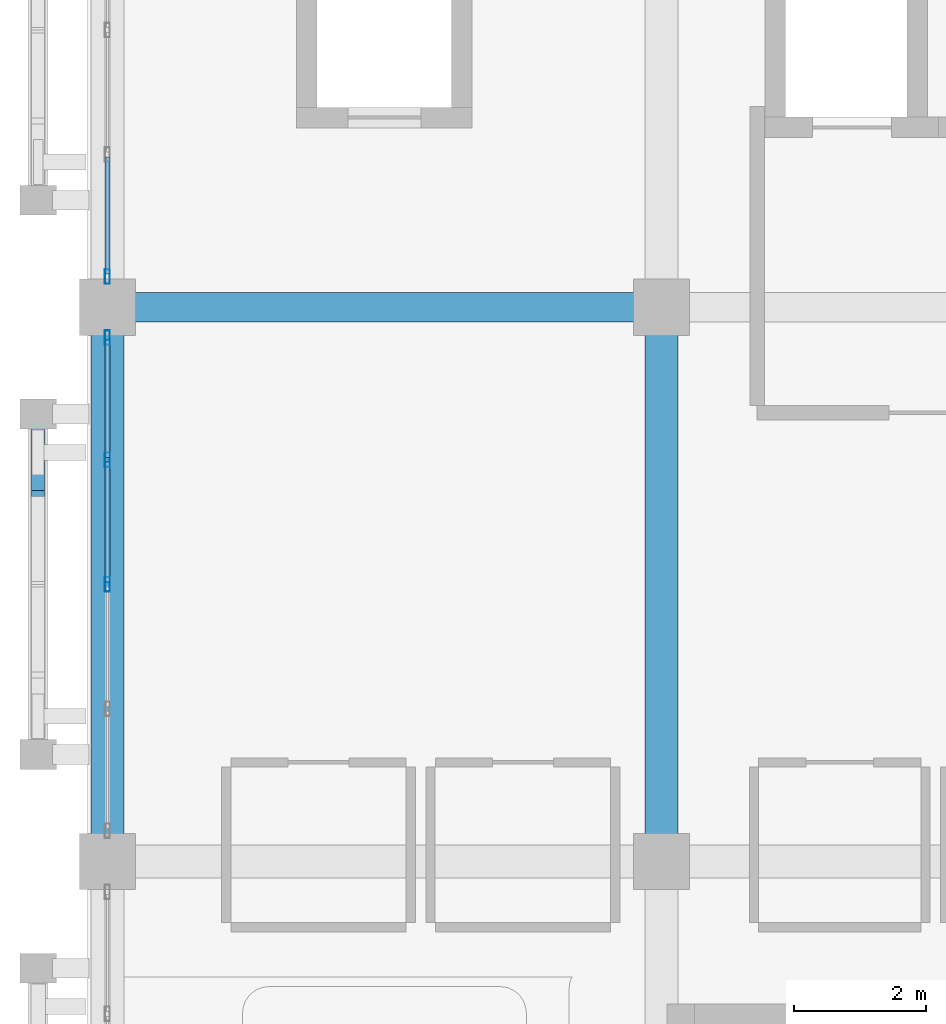
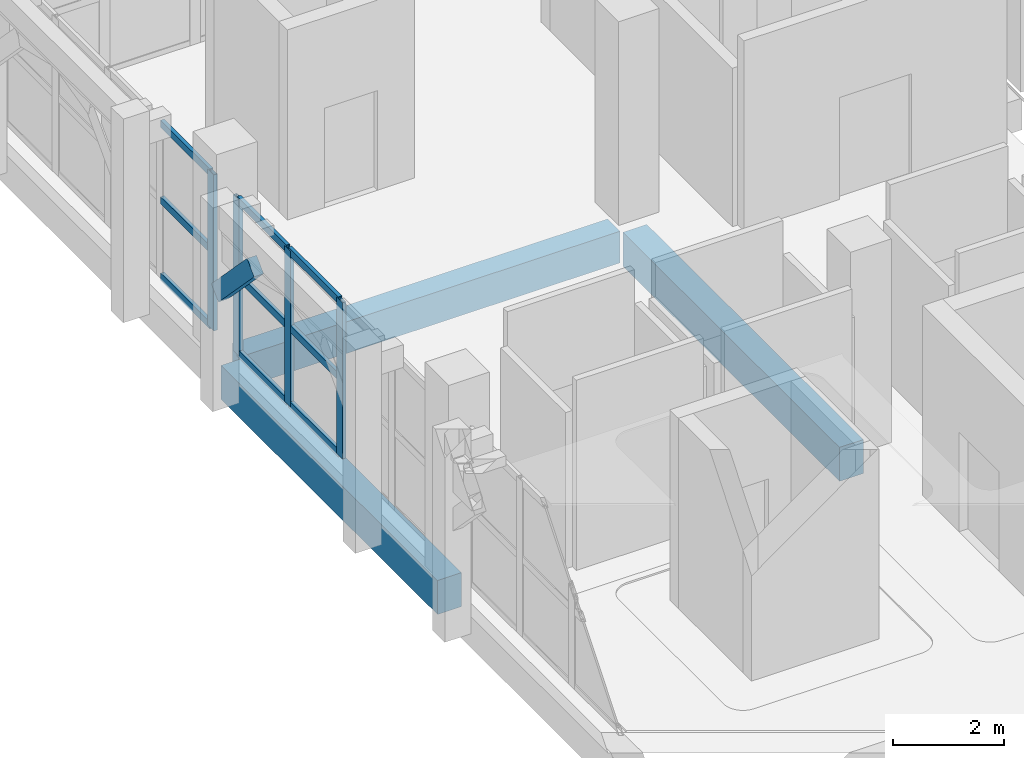
# One storey, part 52 of 137: 14 members, 3 beams, 2 elements without a shape of their own.
"""IFC4 building model written with IfcOpenShell, lengths in metres."""

from ifc_helpers import new_model, si_unit, direction, frame, origin, origin_2d, place, context, subcontext, project, spatial, rectangle, hollow_rectangle, extrude, material, layer, layer_set, material_profile, profile_set, type_object, element, aggregate, save


model = new_model("IFC4")

# Units and contexts
model_context = context("Model", 3, precision=1e-05, world=origin(), true_north=direction((0.0, 1.0)))
body_context = subcontext(model_context, "Body", "Model", "MODEL_VIEW")
ifc_project = project(units=[si_unit("LENGTHUNIT", "METRE"), si_unit("AREAUNIT", "SQUARE_METRE"), si_unit("VOLUMEUNIT", "CUBIC_METRE"), si_unit("PLANEANGLEUNIT", "RADIAN"), si_unit("MASSUNIT", "GRAM", prefix="KILO")], contexts=[model_context])

# Site, building, storey
site_placement = place(None, origin())
site = spatial("IfcSite", under=ifc_project, at=site_placement, CompositionType="ELEMENT")
building_placement = place(site_placement, origin())
building = spatial("IfcBuilding", under=site, at=building_placement, Name="Xazarin Passage Department Store", CompositionType="ELEMENT")
storey_placement = place(building_placement, frame((0.0, 0.0, 5.39990234375)))
storey = spatial("IfcBuildingStorey", under=building, at=storey_placement, Name="L01", CompositionType="ELEMENT", Elevation=5.39990234375)

# Curtain wall, members
ifc_material_1 = material(Name="Bronze anodised aluminium", Category="aluminium")
ifc_layer = layer(ifc_material_1, 0.179931640625)
ifc_layer_set = layer_set([ifc_layer], Name="Bronze anodised aluminium")
curtain_wall_type = type_object("IfcCurtainWallType", Name="ARC-CW-VIT1", PredefinedType="NOTDEFINED", material=ifc_layer_set)
curtain_wall_1_placement = place(storey_placement, origin())
curtain_wall_1 = element("IfcCurtainWall", 1, at=curtain_wall_1_placement, inside=storey, type_object=curtain_wall_type, Name="L01 V1 Curtain Wall 022", PredefinedType="NOTDEFINED")
ifc_material_profile_1 = material_profile(ifc_material_1, hollow_rectangle(XDim=0.074951171875, YDim=0.219970703125, WallThickness=0.0048828125, at=origin_2d()), Name="ALU 75x220")
ifc_profile_set_1 = profile_set([ifc_material_profile_1], Name="Bronze anodised aluminium")
member_type_1 = type_object("IfcMemberType", Name="ARC-CWM-75x220", PredefinedType="MULLION", material=ifc_profile_set_1)
member_1_placement = place(storey_placement, frame((0.0, 89.0, 0.0), z_axis=(0.0, 0.0, 1.0), x_axis=(-1.0, 0.0, 0.0)))
member_1 = element("IfcMember", 2, at=member_1_placement, type_object=member_type_1, Name="CW1 mullion 3", PredefinedType="MULLION", context=body_context, shape_type="SweptSolid", body=[
    extrude(hollow_rectangle(XDim=0.074951171875, YDim=0.219970703125, WallThickness=0.0048828125, at=origin_2d()), origin(), (0.0, 0.0, 1.0), 3.4501953125),
])
member_2_placement = place(storey_placement, frame((0.0, 90.887451171875, 0.0), z_axis=(0.0, 0.0, 1.0), x_axis=(-1.0, 0.0, 0.0)))
member_2 = element("IfcMember", 3, at=member_2_placement, type_object=member_type_1, Name="CW1 mullion 4", PredefinedType="MULLION", context=body_context, shape_type="SweptSolid", body=[
    extrude(hollow_rectangle(XDim=0.074951171875, YDim=0.219970703125, WallThickness=0.0048828125, at=origin_2d()), origin(), (0.0, 0.0, 1.0), 3.4501953125),
])
member_3_placement = place(storey_placement, frame((0.0, 92.737548828125, 0.0), z_axis=(0.0, 0.0, 1.0), x_axis=(-1.0, 0.0, 0.0)))
member_3 = element("IfcMember", 4, at=member_3_placement, type_object=member_type_1, Name="CW1 mullion 5", PredefinedType="MULLION", context=body_context, shape_type="SweptSolid", body=[
    extrude(hollow_rectangle(XDim=0.074951171875, YDim=0.219970703125, WallThickness=0.0048828125, at=origin_2d()), origin(), (0.0, 0.0, 1.0), 3.4501953125),
])

# Curtain wall, member
curtain_wall_2_placement = place(storey_placement, origin())
curtain_wall_2 = element("IfcCurtainWall", 5, at=curtain_wall_2_placement, inside=storey, type_object=curtain_wall_type, Name="L01 V1 Curtain Wall 023", PredefinedType="NOTDEFINED")
member_4_placement = place(storey_placement, frame((0.0, 93.66259765625, 0.0), z_axis=(0.0, 0.0, 1.0), x_axis=(-1.0, 0.0, 0.0)))
member_4 = element("IfcMember", 6, at=member_4_placement, type_object=member_type_1, Name="CW1 mullion 1", PredefinedType="MULLION", context=body_context, shape_type="SweptSolid", body=[
    extrude(hollow_rectangle(XDim=0.074951171875, YDim=0.219970703125, WallThickness=0.0048828125, at=origin_2d()), origin(), (0.0, 0.0, 1.0), 3.4501953125),
])

# Member
ifc_material_profile_2 = material_profile(ifc_material_1, hollow_rectangle(XDim=0.074951171875, YDim=0.159912109375, WallThickness=0.00439453125, at=origin_2d()), Name="ALU 75x160")
ifc_profile_set_2 = profile_set([ifc_material_profile_2], Name="Bronze anodised aluminium")
member_type_2 = type_object("IfcMemberType", Name="ARC-CWT-75x160", PredefinedType="USERDEFINED", material=ifc_profile_set_2)
member_5_placement = place(storey_placement, frame((0.0, 89.03759765625, 0.03759765625), z_axis=(0.0, 1.0, 0.0), x_axis=(-1.0, 0.0, 0.0)))
member_5 = element("IfcMember", 7, at=member_5_placement, type_object=member_type_2, Name="CW1 transom 3.1", ObjectType="TRANSOM", PredefinedType="USERDEFINED", context=body_context, shape_type="SweptSolid", body=[
    extrude(hollow_rectangle(XDim=0.074951171875, YDim=0.159912109375, WallThickness=0.00439453125, at=origin_2d()), origin(), (0.0, 0.0, 1.0), 1.8125),
])

member_6_placement = place(storey_placement, frame((0.0, 89.03759765625, 1.72509765625), z_axis=(0.0, 1.0, 0.0), x_axis=(-1.0, 0.0, 0.0)))
member_6 = element("IfcMember", 8, at=member_6_placement, type_object=member_type_2, Name="CW1 transom 3.2", ObjectType="TRANSOM", PredefinedType="USERDEFINED", context=body_context, shape_type="SweptSolid", body=[
    extrude(hollow_rectangle(XDim=0.074951171875, YDim=0.159912109375, WallThickness=0.00439453125, at=origin_2d()), origin(), (0.0, 0.0, 1.0), 1.8125),
])

member_7_placement = place(storey_placement, frame((0.0, 89.03759765625, 3.41259765625), z_axis=(0.0, 1.0, 0.0), x_axis=(-1.0, 0.0, 0.0)))
member_7 = element("IfcMember", 9, at=member_7_placement, type_object=member_type_2, Name="CW1 transom 3.3", ObjectType="TRANSOM", PredefinedType="USERDEFINED", context=body_context, shape_type="SweptSolid", body=[
    extrude(hollow_rectangle(XDim=0.074951171875, YDim=0.159912109375, WallThickness=0.00439453125, at=origin_2d()), origin(), (0.0, 0.0, 1.0), 1.8125),
])

member_8_placement = place(storey_placement, frame((0.0, 90.925048828125, 0.03759765625), z_axis=(0.0, 1.0, 0.0), x_axis=(-1.0, 0.0, 0.0)))
member_8 = element("IfcMember", 10, at=member_8_placement, type_object=member_type_2, Name="CW1 transom 4.1", ObjectType="TRANSOM", PredefinedType="USERDEFINED", context=body_context, shape_type="SweptSolid", body=[
    extrude(hollow_rectangle(XDim=0.074951171875, YDim=0.159912109375, WallThickness=0.00439453125, at=origin_2d()), origin(), (0.0, 0.0, 1.0), 1.77490234375),
])

member_9_placement = place(storey_placement, frame((0.0, 90.925048828125, 1.72509765625), z_axis=(0.0, 1.0, 0.0), x_axis=(-1.0, 0.0, 0.0)))
member_9 = element("IfcMember", 11, at=member_9_placement, type_object=member_type_2, Name="CW1 transom 4.2", ObjectType="TRANSOM", PredefinedType="USERDEFINED", context=body_context, shape_type="SweptSolid", body=[
    extrude(hollow_rectangle(XDim=0.074951171875, YDim=0.159912109375, WallThickness=0.00439453125, at=origin_2d()), origin(), (0.0, 0.0, 1.0), 1.77490234375),
])

member_10_placement = place(storey_placement, frame((0.0, 90.925048828125, 3.41259765625), z_axis=(0.0, 1.0, 0.0), x_axis=(-1.0, 0.0, 0.0)))
member_10 = element("IfcMember", 12, at=member_10_placement, type_object=member_type_2, Name="CW1 transom 4.3", ObjectType="TRANSOM", PredefinedType="USERDEFINED", context=body_context, shape_type="SweptSolid", body=[
    extrude(hollow_rectangle(XDim=0.074951171875, YDim=0.159912109375, WallThickness=0.00439453125, at=origin_2d()), origin(), (0.0, 0.0, 1.0), 1.77490234375),
])

aggregate(curtain_wall_1, [member_1, member_2, member_3, member_5, member_6, member_7, member_8, member_9, member_10])

member_11_placement = place(storey_placement, frame((0.0, 93.699951171875, 0.03759765625), z_axis=(0.0, 1.0, 0.0), x_axis=(-1.0, 0.0, 0.0)))
member_11 = element("IfcMember", 13, at=member_11_placement, type_object=member_type_2, Name="CW1 transom 1.1", ObjectType="TRANSOM", PredefinedType="USERDEFINED", context=body_context, shape_type="SweptSolid", body=[
    extrude(hollow_rectangle(XDim=0.074951171875, YDim=0.159912109375, WallThickness=0.00439453125, at=origin_2d()), origin(), (0.0, 0.0, 1.0), 1.775146484375),
])

member_12_placement = place(storey_placement, frame((0.0, 93.699951171875, 1.72509765625), z_axis=(0.0, 1.0, 0.0), x_axis=(-1.0, 0.0, 0.0)))
member_12 = element("IfcMember", 14, at=member_12_placement, type_object=member_type_2, Name="CW1 transom 1.2", ObjectType="TRANSOM", PredefinedType="USERDEFINED", context=body_context, shape_type="SweptSolid", body=[
    extrude(hollow_rectangle(XDim=0.074951171875, YDim=0.159912109375, WallThickness=0.00439453125, at=origin_2d()), origin(), (0.0, 0.0, 1.0), 1.775146484375),
])

member_13_placement = place(storey_placement, frame((0.0, 93.699951171875, 3.41259765625), z_axis=(0.0, 1.0, 0.0), x_axis=(-1.0, 0.0, 0.0)))
member_13 = element("IfcMember", 15, at=member_13_placement, type_object=member_type_2, Name="CW1 transom 1.3", ObjectType="TRANSOM", PredefinedType="USERDEFINED", context=body_context, shape_type="SweptSolid", body=[
    extrude(hollow_rectangle(XDim=0.074951171875, YDim=0.159912109375, WallThickness=0.00439453125, at=origin_2d()), origin(), (0.0, 0.0, 1.0), 1.775146484375),
])

aggregate(curtain_wall_2, [member_4, member_11, member_12, member_13])

# Beams
ifc_material_2 = material(Name="Concrete C35/45", Category="concrete")
ifc_material_profile_3 = material_profile(ifc_material_2, rectangle(XDim=0.449951171875, YDim=0.699951171875, at=origin_2d()), Name="RC 450x700")
ifc_profile_set_3 = profile_set([ifc_material_profile_3], Name="Concrete C35/45")
beam_type_1 = type_object("IfcBeamType", Name="STR-BM-G450x700", PredefinedType="BEAM", material=ifc_profile_set_3)
beam_placement = place(storey_placement, frame((0.280029296875, 93.199951171875, -0.64990234375), z_axis=(1.0, 0.0, 0.0), x_axis=(0.0, 1.0, 0.0)))
element("IfcBeam", 16, at=beam_placement, inside=storey, type_object=beam_type_1, Name="L01 Grid Beam N/1-2", PredefinedType="BEAM", context=body_context, shape_type="SweptSolid", body=[
    extrude(rectangle(XDim=0.449951171875, YDim=0.699951171875, at=origin_2d()), origin(), (0.0, 0.0, 1.0), 7.840087890625),
])
ifc_material_profile_4 = material_profile(ifc_material_2, rectangle(XDim=0.5, YDim=0.75, at=origin_2d()), Name="RC 500x750")
ifc_profile_set_4 = profile_set([ifc_material_profile_4], Name="Concrete C35/45")
beam_type_2 = type_object("IfcBeamType", Name="STR-BM-SP500x750", PredefinedType="SPANDREL", material=ifc_profile_set_4)
for number, where, z_axis, x_axis, name in (
    (17, (0.0, 85.080078125, -0.6748046875), (0.0, 1.0, 0.0), (-1.0, 0.0, 0.0), "L01 Grid Beam 1/M-N"),
    (18, (8.39990234375, 85.080078125, -0.6748046875), (0.0, 1.0, 0.0), (-1.0, 0.0, 0.0), "L01 Grid Beam 2/M-N"),
):
    element("IfcBeam", number, at=place(storey_placement, frame(where, z_axis=z_axis, x_axis=x_axis)), inside=storey, type_object=beam_type_2, Name=name, PredefinedType="SPANDREL", context=body_context, shape_type="SweptSolid", body=[
        extrude(rectangle(XDim=0.5, YDim=0.75, at=origin_2d()), origin(), (0.0, 0.0, 1.0), 7.83984375),
    ])

# Member
ifc_material_3 = material(Name="Concrete C40/50", Category="concrete")
ifc_material_profile_5 = material_profile(ifc_material_3, rectangle(XDim=0.199951171875, YDim=0.360107421875, at=origin_2d()), Name="RC 200x360")
ifc_profile_set_5 = profile_set([ifc_material_profile_5], Name="Concrete C40/50")
member_type_3 = type_object("IfcMemberType", Name="STR-MEM-ARC360", PredefinedType="CHORD", material=ifc_profile_set_5)
member_14_placement = place(storey_placement, frame((-1.050048828125, 90.2900390625, 3.7705078125), z_axis=(0.0, 0.693460080602, -0.720495049679), x_axis=(-1.0, 0.0, 0.0)))
element("IfcMember", 19, at=member_14_placement, inside=storey, type_object=member_type_3, Name="L01 V1 Pierced Lattice Curved Arch 012.4", PredefinedType="CHORD", context=body_context, shape_type="SweptSolid", body=[
    extrude(rectangle(XDim=0.199951171875, YDim=0.360107421875, at=origin_2d()), origin(), (0.0, 0.0, 1.0), 1.8603515625),
])

save(model, "model.ifc")
